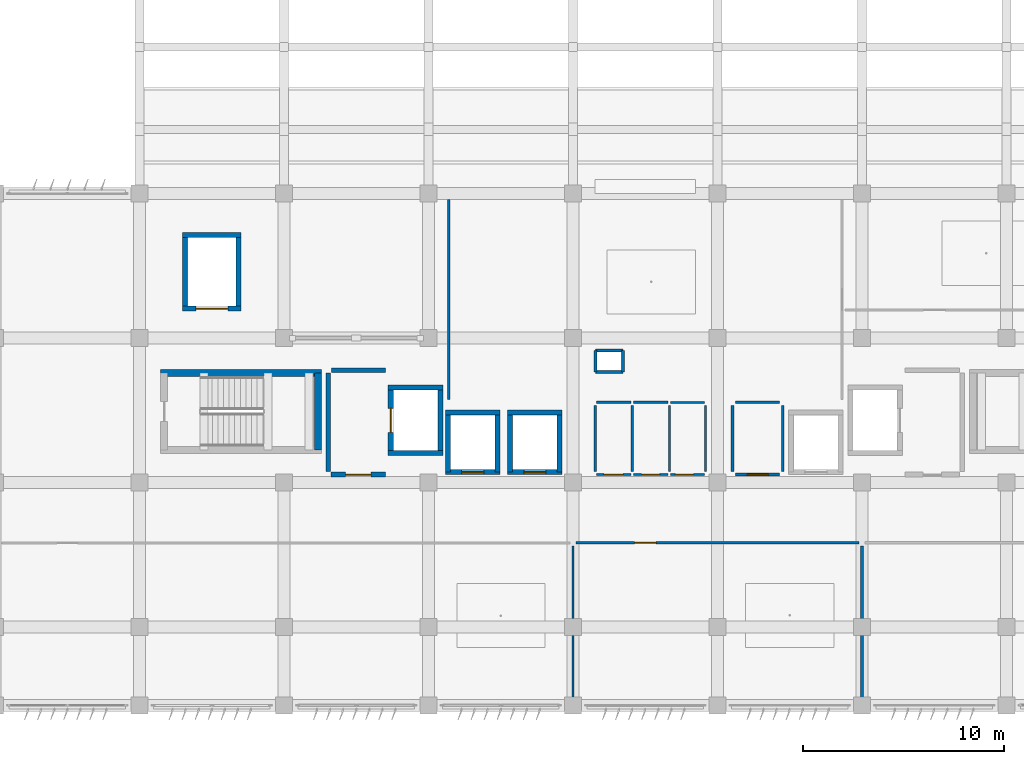
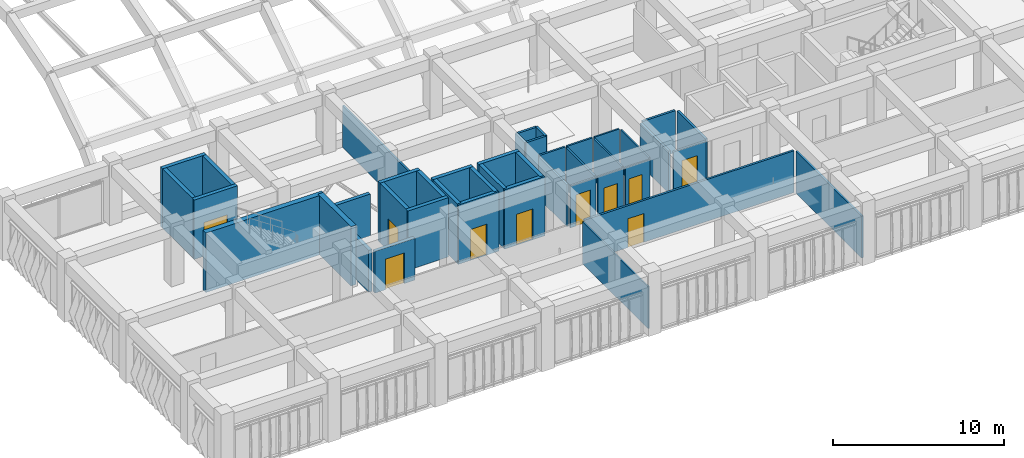
# One storey, part 28 of 48: 43 walls, 10 doors, 10 openings.
"""IFC4 building model written with IfcOpenShell, lengths in metres."""

from ifc_helpers import new_model, si_unit, direction, frame, frame_2d, origin, place, context, subcontext, project, spatial, rectangle, extrude, material, layer, layer_set, type_object, element, fill, save


model = new_model("IFC4")

# Units and contexts
model_context = context("Model", 3, precision=1e-05, world=origin(), true_north=direction((0.0, 1.0)))
body_context = subcontext(model_context, "Body", "Model", "MODEL_VIEW")
ifc_project = project(units=[si_unit("LENGTHUNIT", "METRE"), si_unit("AREAUNIT", "SQUARE_METRE"), si_unit("VOLUMEUNIT", "CUBIC_METRE"), si_unit("PLANEANGLEUNIT", "RADIAN"), si_unit("MASSUNIT", "GRAM", prefix="KILO")], contexts=[model_context])

# Site, building, storey
site_placement = place(None, origin())
site = spatial("IfcSite", under=ifc_project, at=site_placement, CompositionType="ELEMENT")
building_placement = place(site_placement, origin())
building = spatial("IfcBuilding", under=site, at=building_placement, Name="Kazehaya Institute of Natural Sciences", CompositionType="ELEMENT")
storey_placement = place(building_placement, frame((0.0, 0.0, 19.800048828125)))
storey = spatial("IfcBuildingStorey", under=building, at=storey_placement, Name="L04", CompositionType="ELEMENT", Elevation=19.800048828125)

# Walls
ifc_material_1 = material(Name="Concrete Fc42", Category="concrete")
ifc_layer_1 = layer(ifc_material_1, 0.35009765625, Name="Concrete Fc42", Category="concrete")
ifc_layer_set_1 = layer_set([ifc_layer_1], Name="Concrete Fc42")
wall_type_1 = type_object("IfcWallType", Name="WL-CORE-350", PredefinedType="SHEAR", material=ifc_layer_set_1)
wall_1_placement = place(storey_placement, frame((62.844970703125, 26.659912109375, 0.0), z_axis=(0.0, 0.0, 1.0), x_axis=(1.0, 0.0, 0.0)))
element("IfcWall", 1, at=wall_1_placement, inside=storey, type_object=wall_type_1, Name="L04 ST-1 core wall N", PredefinedType="SHEAR", context=body_context, shape_type="SweptSolid", body=[
    extrude(rectangle(XDim=8.010009765625, YDim=0.35009765625, at=frame_2d((4.0048828125, 0.0))), origin(), (0.0, 0.0, 1.0), 4.22998046875),
])
wall_2_placement = place(storey_placement, frame((70.679931640625, 26.659912109375, 0.0), z_axis=(0.0, 0.0, 1.0), x_axis=(0.0, -1.0, 0.0)))
element("IfcWall", 2, at=wall_2_placement, inside=storey, type_object=wall_type_1, Name="L04 ST-1 core wall E", PredefinedType="SHEAR", context=body_context, shape_type="SweptSolid", body=[
    extrude(rectangle(XDim=3.83984375, YDim=0.35009765625, at=frame_2d((1.919921875, 0.0))), origin(), (0.0, 0.0, 1.0), 4.22998046875),
])

# Wall, opening, door
ifc_material_2 = material(Name="Concrete Fc36", Category="concrete")
ifc_layer_2 = layer(ifc_material_2, 0.22998046875, Name="Concrete Fc36", Category="concrete")
ifc_layer_set_2 = layer_set([ifc_layer_2], Name="Concrete Fc36")
wall_type_2 = type_object("IfcWallType", Name="WL-FFL-230", PredefinedType="PARTITIONING", material=ifc_layer_set_2)
wall_3_placement = place(storey_placement, frame((74.050048828125, 21.60009765625, 0.0), z_axis=(0.0, 0.0, 1.0), x_axis=(-1.0, 0.0, 0.0)))
wall_3 = element("IfcWall", 3, at=wall_3_placement, inside=storey, type_object=wall_type_2, Name="L04 West Firefighting Lift Lobby partition IW-L04-0217", PredefinedType="PARTITIONING", context=body_context, shape_type="SweptSolid", body=[
    extrude(rectangle(XDim=2.699951171875, YDim=0.22998046875, at=frame_2d((1.35009765625, 0.0))), origin(), (0.0, 0.0, 1.0), 2.97998046875),
])
opening_1_placement = place(wall_3_placement, frame((0.719970703125, 0.0, 0.0)))
opening_1 = element("IfcOpeningElement", 4, at=opening_1_placement, cuts=wall_3, Name="Opening D-L04-0138", PredefinedType="OPENING", context=body_context, shape_type="SweptSolid", body=[
    extrude(rectangle(XDim=1.260009765625, YDim=2.179931640625, at=frame_2d((0.6298828125, 1.08984375))), frame((0.0, 0.125, 0.0), z_axis=(0.0, -1.0, 0.0), x_axis=(1.0, 0.0, 0.0)), (0.0, 0.0, 1.0), 0.25),
])
ifc_material_3 = material(Name="Fire-rated steel acoustic door", Category="steel")
door_type_1 = type_object("IfcDoorType", Name="DT-FD-30", OperationType="NOTDEFINED", PredefinedType="DOOR", material=ifc_material_3)
door_1_placement = place(opening_1_placement, origin())
door_1 = element("IfcDoor", 5, at=door_1_placement, inside=storey, type_object=door_type_1, Name="L04 West Firefighting Lift Lobby door D-L04-0138", OperationType="SINGLE_SWING_RIGHT", OverallHeight=2.179931640625, OverallWidth=1.260009765625, PredefinedType="DOOR", context=body_context, shape_type="SweptSolid", body=[
    extrude(rectangle(XDim=1.260009765625, YDim=2.179931640625, at=frame_2d((0.6298828125, 1.08984375))), frame((0.0, 0.02490234375, 0.0), z_axis=(0.0, -1.0, 0.0), x_axis=(1.0, 0.0, 0.0)), (0.0, 0.0, 1.0), 0.050048828125),
])
fill(opening_1, door_1)

# Walls
wall_4_placement = place(storey_placement, frame((71.35009765625, 26.800048828125, 0.0), z_axis=(0.0, 0.0, 1.0), x_axis=(1.0, 0.0, 0.0)))
element("IfcWall", 6, at=wall_4_placement, inside=storey, type_object=wall_type_2, Name="L04 West Firefighting Lift Lobby partition IW-L04-0218", PredefinedType="PARTITIONING", context=body_context, shape_type="SweptSolid", body=[
    extrude(rectangle(XDim=2.699951171875, YDim=0.22998046875, at=frame_2d((1.35009765625, 0.0))), origin(), (0.0, 0.0, 1.0), 2.97998046875),
])
wall_5_placement = place(storey_placement, frame((71.199951171875, 21.75, 0.0), z_axis=(0.0, 0.0, 1.0), x_axis=(0.0, 1.0, 0.0)))
element("IfcWall", 7, at=wall_5_placement, inside=storey, type_object=wall_type_2, Name="L04 West Firefighting Lift Lobby partition IW-L04-0219", PredefinedType="PARTITIONING", context=body_context, shape_type="SweptSolid", body=[
    extrude(rectangle(XDim=4.89990234375, YDim=0.22998046875, at=frame_2d((2.449951171875, 0.0))), origin(), (0.0, 0.0, 1.0), 2.97998046875),
])

# Wall, opening, door
ifc_material_4 = material(Name="Lightweight chase partition")
ifc_layer_3 = layer(ifc_material_4, 0.10009765625, Name="Lightweight chase partition")
ifc_layer_set_3 = layer_set([ifc_layer_3], Name="Lightweight chase partition")
wall_type_3 = type_object("IfcWallType", Name="WL-PART-100", PredefinedType="PARTITIONING", material=ifc_layer_set_3)
wall_6_placement = place(storey_placement, frame((89.93994140625, 21.60009765625, 0.0), z_axis=(0.0, 0.0, 1.0), x_axis=(-1.0, 0.0, 0.0)))
wall_6 = element("IfcWall", 8, at=wall_6_placement, inside=storey, type_object=wall_type_3, Name="L04 Accessible WC partition IW-L04-0230", PredefinedType="PARTITIONING", context=body_context, shape_type="SweptSolid", body=[
    extrude(rectangle(XDim=1.679931640625, YDim=0.10009765625, at=frame_2d((0.83984375, 0.0))), origin(), (0.0, 0.0, 1.0), 2.97998046875),
])
opening_2_placement = place(wall_6_placement, frame((0.5400390625, 0.0, 0.0)))
opening_2 = element("IfcOpeningElement", 9, at=opening_2_placement, cuts=wall_6, Name="Opening D-L04-0142", PredefinedType="OPENING", context=body_context, shape_type="SweptSolid", body=[
    extrude(rectangle(XDim=0.89990234375, YDim=2.10009765625, at=frame_2d((0.449951171875, 1.050048828125))), frame((0.0, 0.06005859375, 0.0), z_axis=(0.0, -1.0, 0.0), x_axis=(1.0, 0.0, 0.0)), (0.0, 0.0, 1.0), 0.1201171875),
])
ifc_material_5 = material(Name="Flush timber and aluminium laboratory door", Category="wood")
door_type_2 = type_object("IfcDoorType", Name="DT-INT-02", OperationType="NOTDEFINED", PredefinedType="DOOR", material=ifc_material_5)
door_2_placement = place(opening_2_placement, origin())
door_2 = element("IfcDoor", 10, at=door_2_placement, inside=storey, type_object=door_type_2, Name="L04 Accessible WC door D-L04-0142", OperationType="SINGLE_SWING_RIGHT", OverallHeight=2.10009765625, OverallWidth=0.89990234375, PredefinedType="DOOR", context=body_context, shape_type="SweptSolid", body=[
    extrude(rectangle(XDim=0.89990234375, YDim=2.10009765625, at=frame_2d((0.449951171875, 1.050048828125))), frame((0.0, 0.02490234375, 0.0), z_axis=(0.0, -1.0, 0.0), x_axis=(1.0, 0.0, 0.0)), (0.0, 0.0, 1.0), 0.050048828125),
])
fill(opening_2, door_2)

# Walls
wall_7_placement = place(storey_placement, frame((88.260009765625, 25.199951171875, 0.0), z_axis=(0.0, 0.0, 1.0), x_axis=(1.0, 0.0, 0.0)))
element("IfcWall", 11, at=wall_7_placement, inside=storey, type_object=wall_type_3, Name="L04 Accessible WC partition IW-L04-0231", PredefinedType="PARTITIONING", context=body_context, shape_type="SweptSolid", body=[
    extrude(rectangle(XDim=1.679931640625, YDim=0.10009765625, at=frame_2d((0.83984375, 0.0))), origin(), (0.0, 0.0, 1.0), 2.97998046875),
])
wall_8_placement = place(storey_placement, frame((90.0, 25.050048828125, 0.0), z_axis=(0.0, 0.0, 1.0), x_axis=(0.0, -1.0, 0.0)))
element("IfcWall", 12, at=wall_8_placement, inside=storey, type_object=wall_type_3, Name="L04 Accessible WC partition IW-L04-0232", PredefinedType="PARTITIONING", context=body_context, shape_type="SweptSolid", body=[
    extrude(rectangle(XDim=3.300048828125, YDim=0.10009765625, at=frame_2d((1.64990234375, 0.0))), origin(), (0.0, 0.0, 1.0), 2.97998046875),
])
wall_9_placement = place(storey_placement, frame((83.39990234375, 18.050048828125, 0.0), z_axis=(0.0, 0.0, 1.0), x_axis=(0.0, -1.0, 0.0)))
element("IfcWall", 13, at=wall_9_placement, inside=storey, type_object=wall_type_3, Name="L04 Wet Chemistry Laboratory partition IW-L04-0238", PredefinedType="PARTITIONING", context=body_context, shape_type="SweptSolid", body=[
    extrude(rectangle(XDim=7.650146484375, YDim=0.10009765625, at=frame_2d((3.8251953125, 0.0))), origin(), (0.0, 0.0, 1.0), 2.97998046875),
])

# Wall, opening, door
ifc_material_6 = material(Name="Glazed office demountable partition")
ifc_layer_4 = layer(ifc_material_6, 0.110107421875, Name="Glazed office demountable partition")
ifc_layer_set_4 = layer_set([ifc_layer_4], Name="Glazed office demountable partition")
wall_type_4 = type_object("IfcWallType", Name="WL-PART-110", PredefinedType="PARTITIONING", material=ifc_layer_set_4)
wall_10_placement = place(storey_placement, frame((88.139892578125, 21.60009765625, 0.0), z_axis=(0.0, 0.0, 1.0), x_axis=(-1.0, 0.0, 0.0)))
wall_10 = element("IfcWall", 14, at=wall_10_placement, inside=storey, type_object=wall_type_4, Name="L04 Female WC partition IW-L04-0227", PredefinedType="PARTITIONING", context=body_context, shape_type="SweptSolid", body=[
    extrude(rectangle(XDim=1.72998046875, YDim=0.110107421875, at=frame_2d((0.864990234375, 0.0))), origin(), (0.0, 0.0, 1.0), 2.97998046875),
])
opening_3_placement = place(wall_10_placement, frame((0.419921875, 0.0, 0.0)))
opening_3 = element("IfcOpeningElement", 15, at=opening_3_placement, cuts=wall_10, Name="Opening D-L04-0141", PredefinedType="OPENING", context=body_context, shape_type="SweptSolid", body=[
    extrude(rectangle(XDim=0.89990234375, YDim=2.050048828125, at=frame_2d((0.449951171875, 1.02490234375))), frame((0.0, 0.06494140625, 0.0), z_axis=(0.0, -1.0, 0.0), x_axis=(1.0, 0.0, 0.0)), (0.0, 0.0, 1.0), 0.130126953125),
])
door_type_3 = type_object("IfcDoorType", Name="DT-INT-01", OperationType="NOTDEFINED", PredefinedType="DOOR", material=ifc_material_5)
door_3_placement = place(opening_3_placement, origin())
door_3 = element("IfcDoor", 16, at=door_3_placement, inside=storey, type_object=door_type_3, Name="L04 Female WC door D-L04-0141", OperationType="SINGLE_SWING_LEFT", OverallHeight=2.050048828125, OverallWidth=0.89990234375, PredefinedType="DOOR", context=body_context, shape_type="SweptSolid", body=[
    extrude(rectangle(XDim=0.89990234375, YDim=2.050048828125, at=frame_2d((0.449951171875, 1.02490234375))), frame((0.0, 0.02490234375, 0.0), z_axis=(0.0, -1.0, 0.0), x_axis=(1.0, 0.0, 0.0)), (0.0, 0.0, 1.0), 0.050048828125),
])
fill(opening_3, door_3)

# Walls
wall_11_placement = place(storey_placement, frame((86.409912109375, 25.199951171875, 0.0), z_axis=(0.0, 0.0, 1.0), x_axis=(1.0, 0.0, 0.0)))
element("IfcWall", 17, at=wall_11_placement, inside=storey, type_object=wall_type_4, Name="L04 Female WC partition IW-L04-0228", PredefinedType="PARTITIONING", context=body_context, shape_type="SweptSolid", body=[
    extrude(rectangle(XDim=1.72998046875, YDim=0.110107421875, at=frame_2d((0.864990234375, 0.0))), origin(), (0.0, 0.0, 1.0), 2.97998046875),
])
wall_12_placement = place(storey_placement, frame((88.199951171875, 25.050048828125, 0.0), z_axis=(0.0, 0.0, 1.0), x_axis=(0.0, -1.0, 0.0)))
element("IfcWall", 18, at=wall_12_placement, inside=storey, type_object=wall_type_4, Name="L04 Female WC partition IW-L04-0229", PredefinedType="PARTITIONING", context=body_context, shape_type="SweptSolid", body=[
    extrude(rectangle(XDim=3.300048828125, YDim=0.110107421875, at=frame_2d((1.64990234375, 0.0))), origin(), (0.0, 0.0, 1.0), 2.97998046875),
])

# Wall, opening, door
ifc_material_7 = material(Name="Gypsum write-up office partition", Category="gypsum")
ifc_layer_5 = layer(ifc_material_7, 0.1201171875, Name="Gypsum write-up office partition", Category="gypsum")
ifc_layer_set_5 = layer_set([ifc_layer_5], Name="Gypsum write-up office partition")
wall_type_5 = type_object("IfcWallType", Name="WL-PART-120", PredefinedType="PARTITIONING", material=ifc_layer_set_5)
wall_13_placement = place(storey_placement, frame((86.2900390625, 21.60009765625, 0.0), z_axis=(0.0, 0.0, 1.0), x_axis=(-1.0, 0.0, 0.0)))
wall_13 = element("IfcWall", 19, at=wall_13_placement, inside=storey, type_object=wall_type_5, Name="L04 Male WC partition IW-L04-0223", PredefinedType="PARTITIONING", context=body_context, shape_type="SweptSolid", body=[
    extrude(rectangle(XDim=1.72998046875, YDim=0.1201171875, at=frame_2d((0.864990234375, 0.0))), origin(), (0.0, 0.0, 1.0), 2.97998046875),
])
opening_4_placement = place(wall_13_placement, frame((0.389892578125, 0.0, 0.0)))
opening_4 = element("IfcOpeningElement", 20, at=opening_4_placement, cuts=wall_13, Name="Opening D-L04-0140", PredefinedType="OPENING", context=body_context, shape_type="SweptSolid", body=[
    extrude(rectangle(XDim=0.9599609375, YDim=2.219970703125, at=frame_2d((0.47998046875, 1.10986328125))), frame((0.0, 0.070068359375, 0.0), z_axis=(0.0, -1.0, 0.0), x_axis=(1.0, 0.0, 0.0)), (0.0, 0.0, 1.0), 0.14013671875),
])
door_type_4 = type_object("IfcDoorType", Name="DT-INT-12", OperationType="NOTDEFINED", PredefinedType="DOOR", material=ifc_material_5)
door_4_placement = place(opening_4_placement, origin())
door_4 = element("IfcDoor", 21, at=door_4_placement, inside=storey, type_object=door_type_4, Name="L04 Male WC door D-L04-0140", OperationType="SINGLE_SWING_RIGHT", OverallHeight=2.219970703125, OverallWidth=0.9599609375, PredefinedType="DOOR", context=body_context, shape_type="SweptSolid", body=[
    extrude(rectangle(XDim=0.9599609375, YDim=2.219970703125, at=frame_2d((0.47998046875, 1.10986328125))), frame((0.0, 0.02490234375, 0.0), z_axis=(0.0, -1.0, 0.0), x_axis=(1.0, 0.0, 0.0)), (0.0, 0.0, 1.0), 0.050048828125),
])
fill(opening_4, door_4)

# Walls
wall_14_placement = place(storey_placement, frame((84.56005859375, 25.199951171875, 0.0), z_axis=(0.0, 0.0, 1.0), x_axis=(1.0, 0.0, 0.0)))
element("IfcWall", 22, at=wall_14_placement, inside=storey, type_object=wall_type_5, Name="L04 Male WC partition IW-L04-0224", PredefinedType="PARTITIONING", context=body_context, shape_type="SweptSolid", body=[
    extrude(rectangle(XDim=1.72998046875, YDim=0.1201171875, at=frame_2d((0.864990234375, 0.0))), origin(), (0.0, 0.0, 1.0), 2.97998046875),
])
for number, where, z_axis, x_axis, name in (
    (23, (84.5, 21.75, 0.0), (0.0, 0.0, 1.0), (0.0, 1.0, 0.0), "L04 Male WC partition IW-L04-0225"),
    (24, (86.35009765625, 25.050048828125, 0.0), (0.0, 0.0, 1.0), (0.0, -1.0, 0.0), "L04 Male WC partition IW-L04-0226"),
):
    element("IfcWall", number, at=place(storey_placement, frame(where, z_axis=z_axis, x_axis=x_axis)), inside=storey, type_object=wall_type_5, Name=name, PredefinedType="PARTITIONING", context=body_context, shape_type="SweptSolid", body=[
        extrude(rectangle(XDim=3.300048828125, YDim=0.1201171875, at=frame_2d((1.64990234375, 0.0))), origin(), (0.0, 0.0, 1.0), 2.97998046875),
    ])
wall_15_placement = place(storey_placement, frame((77.199951171875, 25.35009765625, 0.0), z_axis=(0.0, 0.0, 1.0), x_axis=(0.0, 1.0, 0.0)))
element("IfcWall", 25, at=wall_15_placement, inside=storey, type_object=wall_type_5, Name="L04 Proteomics Research Laboratory partition IW-L04-0242", PredefinedType="PARTITIONING", context=body_context, shape_type="SweptSolid", body=[
    extrude(rectangle(XDim=9.949951171875, YDim=0.1201171875, at=frame_2d((4.97509765625, 0.0))), origin(), (0.0, 0.0, 1.0), 2.97998046875),
])

# Wall, opening, door
ifc_material_8 = material(Name="Gypsum partition", Category="gypsum")
ifc_layer_6 = layer(ifc_material_8, 0.139892578125, Name="Gypsum partition", Category="gypsum")
ifc_layer_set_6 = layer_set([ifc_layer_6], Name="Gypsum partition")
wall_type_6 = type_object("IfcWallType", Name="WL-PART-140", PredefinedType="PARTITIONING", material=ifc_layer_set_6)
wall_16_placement = place(storey_placement, frame((93.699951171875, 21.60009765625, 0.0), z_axis=(0.0, 0.0, 1.0), x_axis=(-1.0, 0.0, 0.0)))
wall_16 = element("IfcWall", 26, at=wall_16_placement, inside=storey, type_object=wall_type_6, Name="L04 Ostomate WC partition IW-L04-0233", PredefinedType="PARTITIONING", context=body_context, shape_type="SweptSolid", body=[
    extrude(rectangle(XDim=2.199951171875, YDim=0.139892578125, at=frame_2d((1.10009765625, 0.0))), origin(), (0.0, 0.0, 1.0), 2.97998046875),
])
opening_5_placement = place(wall_16_placement, frame((0.5849609375, 0.0, 0.0)))
opening_5 = element("IfcOpeningElement", 27, at=opening_5_placement, cuts=wall_16, Name="Opening D-L04-0143", PredefinedType="OPENING", context=body_context, shape_type="SweptSolid", body=[
    extrude(rectangle(XDim=1.030029296875, YDim=2.159912109375, at=frame_2d((0.51513671875, 1.080078125))), frame((0.0, 0.079833984375, 0.0), z_axis=(0.0, -1.0, 0.0), x_axis=(1.0, 0.0, 0.0)), (0.0, 0.0, 1.0), 0.159912109375),
])
door_type_5 = type_object("IfcDoorType", Name="DT-INT-19", OperationType="NOTDEFINED", PredefinedType="DOOR", material=ifc_material_5)
door_5_placement = place(opening_5_placement, origin())
door_5 = element("IfcDoor", 28, at=door_5_placement, inside=storey, type_object=door_type_5, Name="L04 Ostomate WC door D-L04-0143", OperationType="SINGLE_SWING_LEFT", OverallHeight=2.159912109375, OverallWidth=1.030029296875, PredefinedType="DOOR", context=body_context, shape_type="SweptSolid", body=[
    extrude(rectangle(XDim=1.030029296875, YDim=2.159912109375, at=frame_2d((0.51513671875, 1.080078125))), frame((0.0, 0.02490234375, 0.0), z_axis=(0.0, -1.0, 0.0), x_axis=(1.0, 0.0, 0.0)), (0.0, 0.0, 1.0), 0.050048828125),
])
fill(opening_5, door_5)

# Walls
wall_17_placement = place(storey_placement, frame((91.5, 25.199951171875, 0.0), z_axis=(0.0, 0.0, 1.0), x_axis=(1.0, 0.0, 0.0)))
element("IfcWall", 29, at=wall_17_placement, inside=storey, type_object=wall_type_6, Name="L04 Ostomate WC partition IW-L04-0234", PredefinedType="PARTITIONING", context=body_context, shape_type="SweptSolid", body=[
    extrude(rectangle(XDim=2.199951171875, YDim=0.139892578125, at=frame_2d((1.10009765625, 0.0))), origin(), (0.0, 0.0, 1.0), 2.97998046875),
])
for number, where, z_axis, x_axis, name in (
    (30, (91.35009765625, 21.75, 0.0), (0.0, 0.0, 1.0), (0.0, 1.0, 0.0), "L04 Ostomate WC partition IW-L04-0235"),
    (31, (93.85009765625, 25.050048828125, 0.0), (0.0, 0.0, 1.0), (0.0, -1.0, 0.0), "L04 Ostomate WC partition IW-L04-0236"),
):
    element("IfcWall", number, at=place(storey_placement, frame(where, z_axis=z_axis, x_axis=x_axis)), inside=storey, type_object=wall_type_6, Name=name, PredefinedType="PARTITIONING", context=body_context, shape_type="SweptSolid", body=[
        extrude(rectangle(XDim=3.300048828125, YDim=0.139892578125, at=frame_2d((1.64990234375, 0.0))), origin(), (0.0, 0.0, 1.0), 2.97998046875),
    ])

# Wall, opening, door
wall_18_placement = place(storey_placement, frame((83.550048828125, 18.199951171875, 0.0), z_axis=(0.0, 0.0, 1.0), x_axis=(1.0, 0.0, 0.0)))
wall_18 = element("IfcWall", 32, at=wall_18_placement, inside=storey, type_object=wall_type_6, Name="L04 Molecular Biology Laboratory partition IW-L04-0239", PredefinedType="PARTITIONING", context=body_context, shape_type="SweptSolid", body=[
    extrude(rectangle(XDim=14.099853515625, YDim=0.139892578125, at=frame_2d((7.0498046875, 0.0))), origin(), (0.0, 0.0, 1.0), 2.97998046875),
])
opening_6_placement = place(wall_18_placement, frame((2.9150390625, 0.0, 0.0)))
opening_6 = element("IfcOpeningElement", 33, at=opening_6_placement, cuts=wall_18, Name="Opening D-L04-0145", PredefinedType="OPENING", context=body_context, shape_type="SweptSolid", body=[
    extrude(rectangle(XDim=1.070068359375, YDim=2.050048828125, at=frame_2d((0.53515625, 1.02490234375))), frame((0.0, 0.079833984375, 0.0), z_axis=(0.0, -1.0, 0.0), x_axis=(1.0, 0.0, 0.0)), (0.0, 0.0, 1.0), 0.159912109375),
])
door_type_6 = type_object("IfcDoorType", Name="DT-INT-21", OperationType="NOTDEFINED", PredefinedType="DOOR", material=ifc_material_5)
door_6_placement = place(opening_6_placement, origin())
door_6 = element("IfcDoor", 34, at=door_6_placement, inside=storey, type_object=door_type_6, Name="L04 Molecular Biology Laboratory door D-L04-0145", OperationType="SINGLE_SWING_LEFT", OverallHeight=2.050048828125, OverallWidth=1.070068359375, PredefinedType="DOOR", context=body_context, shape_type="SweptSolid", body=[
    extrude(rectangle(XDim=1.070068359375, YDim=2.050048828125, at=frame_2d((0.53515625, 1.02490234375))), frame((0.0, 0.02490234375, 0.0), z_axis=(0.0, -1.0, 0.0), x_axis=(1.0, 0.0, 0.0)), (0.0, 0.0, 1.0), 0.050048828125),
])
fill(opening_6, door_6)

# Walls
wall_19_placement = place(storey_placement, frame((97.800048828125, 18.050048828125, 0.0), z_axis=(0.0, 0.0, 1.0), x_axis=(0.0, -1.0, 0.0)))
element("IfcWall", 35, at=wall_19_placement, inside=storey, type_object=wall_type_6, Name="L04 Molecular Biology Laboratory partition IW-L04-0240", PredefinedType="PARTITIONING", context=body_context, shape_type="SweptSolid", body=[
    extrude(rectangle(XDim=7.650146484375, YDim=0.139892578125, at=frame_2d((3.8251953125, 0.0))), origin(), (0.0, 0.0, 1.0), 2.97998046875),
])
ifc_layer_7 = layer(ifc_material_2, 0.14990234375, Name="Concrete Fc36", Category="concrete")
ifc_layer_set_7 = layer_set([ifc_layer_7], Name="Concrete Fc36")
wall_type_7 = type_object("IfcWallType", Name="WL-RISER-150", PredefinedType="PARTITIONING", material=ifc_layer_set_7)
for number, where, z_axis, x_axis, name in (
    (36, (85.885009765625, 26.715087890625, 0.0), (0.0, 0.0, 1.0), (-1.0, 0.0, 0.0), "L04 fume exhaust riser shaft wall 35"),
    (37, (84.514892578125, 27.784912109375, 0.0), (0.0, 0.0, 1.0), (1.0, 0.0, 0.0), "L04 fume exhaust riser shaft wall 35"),
):
    element("IfcWall", number, at=place(storey_placement, frame(where, z_axis=z_axis, x_axis=x_axis)), inside=storey, type_object=wall_type_7, Name=name, PredefinedType="PARTITIONING", context=body_context, shape_type="SweptSolid", body=[
        extrude(rectangle(XDim=1.3701171875, YDim=0.14990234375, at=frame_2d((0.68505859375, 0.0))), origin(), (0.0, 0.0, 1.0), 2.97998046875),
    ])
for number, where, z_axis, x_axis, name in (
    (38, (84.514892578125, 26.715087890625, 0.0), (0.0, 0.0, 1.0), (0.0, 1.0, 0.0), "L04 fume exhaust riser shaft wall 35"),
    (39, (85.885009765625, 27.784912109375, 0.0), (0.0, 0.0, 1.0), (0.0, -1.0, 0.0), "L04 fume exhaust riser shaft wall 35"),
):
    element("IfcWall", number, at=place(storey_placement, frame(where, z_axis=z_axis, x_axis=x_axis)), inside=storey, type_object=wall_type_7, Name=name, PredefinedType="PARTITIONING", context=body_context, shape_type="SweptSolid", body=[
        extrude(rectangle(XDim=1.06982421875, YDim=0.14990234375, at=frame_2d((0.534912109375, 0.0))), origin(), (0.0, 0.0, 1.0), 2.97998046875),
    ])
ifc_layer_8 = layer(ifc_material_1, 0.25, Name="Concrete Fc42", Category="concrete")
ifc_layer_set_8 = layer_set([ifc_layer_8], Name="Concrete Fc42")
wall_type_8 = type_object("IfcWallType", Name="WL-SHAFT-250", PredefinedType="SHEAR", material=ifc_layer_set_8)
for number, where, z_axis, x_axis, name in (
    (40, (76.909912109375, 22.6650390625, 0.0), (0.0, 0.0, 1.0), (-1.0, 0.0, 0.0), "L04 EL07 lift shaft wall south"),
    (41, (74.18994140625, 25.93505859375, 0.0), (0.0, 0.0, 1.0), (1.0, 0.0, 0.0), "L04 EL07 lift shaft wall north"),
):
    element("IfcWall", number, at=place(storey_placement, frame(where, z_axis=z_axis, x_axis=x_axis)), inside=storey, type_object=wall_type_8, Name=name, PredefinedType="SHEAR", context=body_context, shape_type="SweptSolid", body=[
        extrude(rectangle(XDim=2.719970703125, YDim=0.25, at=frame_2d((1.35986328125, 0.0))), origin(), (0.0, 0.0, 1.0), 4.22998046875),
    ])

# Wall, opening, door
wall_20_placement = place(storey_placement, frame((74.31494140625, 22.6650390625, 0.0), z_axis=(0.0, 0.0, 1.0), x_axis=(0.0, 1.0, 0.0)))
wall_20 = element("IfcWall", 42, at=wall_20_placement, inside=storey, type_object=wall_type_8, Name="L04 EL07 lift shaft wall west", PredefinedType="SHEAR", context=body_context, shape_type="SweptSolid", body=[
    extrude(rectangle(XDim=3.27001953125, YDim=0.25, at=frame_2d((1.635009765625, 0.0))), origin(), (0.0, 0.0, 1.0), 4.22998046875),
])
opening_7_placement = place(wall_20_placement, frame((1.034912109375, 0.0, 0.0)))
opening_7 = element("IfcOpeningElement", 43, at=opening_7_placement, cuts=wall_20, Name="Opening LD-06", PredefinedType="OPENING", context=body_context, shape_type="SweptSolid", body=[
    extrude(rectangle(XDim=1.199951171875, YDim=2.25, at=frame_2d((0.60009765625, 1.125))), frame((0.0, 0.135009765625, 0.0), z_axis=(0.0, -1.0, 0.0), x_axis=(1.0, 0.0, 0.0)), (0.0, 0.0, 1.0), 0.27001953125),
])
ifc_material_9 = material(Name="Stainless-steel emergency lift landing door", Category="steel")
door_type_7 = type_object("IfcDoorType", Name="DT-LD-1200x2250", OperationType="SLIDING_TO_LEFT", PredefinedType="DOOR", material=ifc_material_9)
door_7_placement = place(opening_7_placement, origin())
door_7 = element("IfcDoor", 44, at=door_7_placement, inside=storey, type_object=door_type_7, Name="L04 EL07 sliding landing door LD-06", OperationType="SLIDING_TO_LEFT", OverallHeight=2.25, OverallWidth=1.199951171875, PredefinedType="DOOR", context=body_context, shape_type="SweptSolid", body=[
    extrude(rectangle(XDim=1.199951171875, YDim=2.25, at=frame_2d((0.60009765625, 1.125))), frame((0.0, 0.02490234375, 0.0), z_axis=(0.0, -1.0, 0.0), x_axis=(1.0, 0.0, 0.0)), (0.0, 0.0, 1.0), 0.050048828125),
])
fill(opening_7, door_7)

# Wall
wall_21_placement = place(storey_placement, frame((76.784912109375, 25.93505859375, 0.0), z_axis=(0.0, 0.0, 1.0), x_axis=(0.0, -1.0, 0.0)))
element("IfcWall", 45, at=wall_21_placement, inside=storey, type_object=wall_type_8, Name="L04 EL07 lift shaft wall east", PredefinedType="SHEAR", context=body_context, shape_type="SweptSolid", body=[
    extrude(rectangle(XDim=3.27001953125, YDim=0.25, at=frame_2d((1.635009765625, 0.0))), origin(), (0.0, 0.0, 1.0), 4.22998046875),
])

# Wall, opening, door
wall_22_placement = place(storey_placement, frame((79.760009765625, 21.715087890625, 0.0), z_axis=(0.0, 0.0, 1.0), x_axis=(-1.0, 0.0, 0.0)))
wall_22 = element("IfcWall", 46, at=wall_22_placement, inside=storey, type_object=wall_type_8, Name="L04 EL01 lift shaft wall south", PredefinedType="SHEAR", context=body_context, shape_type="SweptSolid", body=[
    extrude(rectangle(XDim=2.719970703125, YDim=0.25, at=frame_2d((1.35986328125, 0.0))), origin(), (0.0, 0.0, 1.0), 4.22998046875),
])
opening_8_placement = place(wall_22_placement, frame((0.81005859375, 0.0, 0.0)))
opening_8 = element("IfcOpeningElement", 47, at=opening_8_placement, cuts=wall_22, Name="Opening LD-28", PredefinedType="OPENING", context=body_context, shape_type="SweptSolid", body=[
    extrude(rectangle(XDim=1.10009765625, YDim=2.199951171875, at=frame_2d((0.550048828125, 1.10009765625))), frame((0.0, 0.135009765625, 0.0), z_axis=(0.0, -1.0, 0.0), x_axis=(1.0, 0.0, 0.0)), (0.0, 0.0, 1.0), 0.27001953125),
])
ifc_material_10 = material(Name="Stainless-steel sliding landing door", Category="steel")
door_type_8 = type_object("IfcDoorType", Name="DT-LD-1100x2200", OperationType="SLIDING_TO_LEFT", PredefinedType="DOOR", material=ifc_material_10)
door_8_placement = place(opening_8_placement, origin())
door_8 = element("IfcDoor", 48, at=door_8_placement, inside=storey, type_object=door_type_8, Name="L04 EL01 sliding landing door LD-28", OperationType="SLIDING_TO_LEFT", OverallHeight=2.199951171875, OverallWidth=1.10009765625, PredefinedType="DOOR", context=body_context, shape_type="SweptSolid", body=[
    extrude(rectangle(XDim=1.10009765625, YDim=2.199951171875, at=frame_2d((0.550048828125, 1.10009765625))), frame((0.0, 0.02490234375, 0.0), z_axis=(0.0, -1.0, 0.0), x_axis=(1.0, 0.0, 0.0)), (0.0, 0.0, 1.0), 0.050048828125),
])
fill(opening_8, door_8)

# Walls
wall_23_placement = place(storey_placement, frame((77.0400390625, 24.68505859375, 0.0), z_axis=(0.0, 0.0, 1.0), x_axis=(1.0, 0.0, 0.0)))
element("IfcWall", 49, at=wall_23_placement, inside=storey, type_object=wall_type_8, Name="L04 EL01 lift shaft wall north", PredefinedType="SHEAR", context=body_context, shape_type="SweptSolid", body=[
    extrude(rectangle(XDim=2.719970703125, YDim=0.25, at=frame_2d((1.35986328125, 0.0))), origin(), (0.0, 0.0, 1.0), 4.22998046875),
])
for number, where, z_axis, x_axis, name in (
    (50, (77.1650390625, 21.715087890625, 0.0), (0.0, 0.0, 1.0), (0.0, 1.0, 0.0), "L04 EL01 lift shaft wall west"),
    (51, (79.635009765625, 24.68505859375, 0.0), (0.0, 0.0, 1.0), (0.0, -1.0, 0.0), "L04 EL01 lift shaft wall east"),
):
    element("IfcWall", number, at=place(storey_placement, frame(where, z_axis=z_axis, x_axis=x_axis)), inside=storey, type_object=wall_type_8, Name=name, PredefinedType="SHEAR", context=body_context, shape_type="SweptSolid", body=[
        extrude(rectangle(XDim=2.969970703125, YDim=0.25, at=frame_2d((1.48486328125, 0.0))), origin(), (0.0, 0.0, 1.0), 4.22998046875),
    ])

# Wall, opening, door
wall_24_placement = place(storey_placement, frame((82.860107421875, 21.715087890625, 0.0), z_axis=(0.0, 0.0, 1.0), x_axis=(-1.0, 0.0, 0.0)))
wall_24 = element("IfcWall", 52, at=wall_24_placement, inside=storey, type_object=wall_type_8, Name="L04 EL02 lift shaft wall south", PredefinedType="SHEAR", context=body_context, shape_type="SweptSolid", body=[
    extrude(rectangle(XDim=2.72021484375, YDim=0.25, at=frame_2d((1.360107421875, 0.0))), origin(), (0.0, 0.0, 1.0), 4.22998046875),
])
opening_9_placement = place(wall_24_placement, frame((0.81005859375, 0.0, 0.0)))
opening_9 = element("IfcOpeningElement", 53, at=opening_9_placement, cuts=wall_24, Name="Opening LD-39", PredefinedType="OPENING", context=body_context, shape_type="SweptSolid", body=[
    extrude(rectangle(XDim=1.10009765625, YDim=2.199951171875, at=frame_2d((0.550048828125, 1.10009765625))), frame((0.0, 0.135009765625, 0.0), z_axis=(0.0, -1.0, 0.0), x_axis=(1.0, 0.0, 0.0)), (0.0, 0.0, 1.0), 0.27001953125),
])
door_9_placement = place(opening_9_placement, origin())
door_9 = element("IfcDoor", 54, at=door_9_placement, inside=storey, type_object=door_type_8, Name="L04 EL02 sliding landing door LD-39", OperationType="SLIDING_TO_LEFT", OverallHeight=2.199951171875, OverallWidth=1.10009765625, PredefinedType="DOOR", context=body_context, shape_type="SweptSolid", body=[
    extrude(rectangle(XDim=1.10009765625, YDim=2.199951171875, at=frame_2d((0.550048828125, 1.10009765625))), frame((0.0, 0.02490234375, 0.0), z_axis=(0.0, -1.0, 0.0), x_axis=(1.0, 0.0, 0.0)), (0.0, 0.0, 1.0), 0.050048828125),
])
fill(opening_9, door_9)

# Walls
wall_25_placement = place(storey_placement, frame((80.139892578125, 24.68505859375, 0.0), z_axis=(0.0, 0.0, 1.0), x_axis=(1.0, 0.0, 0.0)))
element("IfcWall", 55, at=wall_25_placement, inside=storey, type_object=wall_type_8, Name="L04 EL02 lift shaft wall north", PredefinedType="SHEAR", context=body_context, shape_type="SweptSolid", body=[
    extrude(rectangle(XDim=2.72021484375, YDim=0.25, at=frame_2d((1.360107421875, 0.0))), origin(), (0.0, 0.0, 1.0), 4.22998046875),
])
for number, where, z_axis, x_axis, name in (
    (56, (80.264892578125, 21.715087890625, 0.0), (0.0, 0.0, 1.0), (0.0, 1.0, 0.0), "L04 EL02 lift shaft wall west"),
    (57, (82.735107421875, 24.68505859375, 0.0), (0.0, 0.0, 1.0), (0.0, -1.0, 0.0), "L04 EL02 lift shaft wall east"),
):
    element("IfcWall", number, at=place(storey_placement, frame(where, z_axis=z_axis, x_axis=x_axis)), inside=storey, type_object=wall_type_8, Name=name, PredefinedType="SHEAR", context=body_context, shape_type="SweptSolid", body=[
        extrude(rectangle(XDim=2.969970703125, YDim=0.25, at=frame_2d((1.48486328125, 0.0))), origin(), (0.0, 0.0, 1.0), 4.22998046875),
    ])

# Wall, opening, door
wall_26_placement = place(storey_placement, frame((66.860107421875, 29.864990234375, 0.0), z_axis=(0.0, 0.0, 1.0), x_axis=(-1.0, 0.0, 0.0)))
wall_26 = element("IfcWall", 58, at=wall_26_placement, inside=storey, type_object=wall_type_8, Name="L04 EL06 lift shaft wall south", PredefinedType="SHEAR", context=body_context, shape_type="SweptSolid", body=[
    extrude(rectangle(XDim=2.920166015625, YDim=0.25, at=frame_2d((1.4599609375, 0.0))), origin(), (0.0, 0.0, 1.0), 4.22998046875),
])
opening_10_placement = place(wall_26_placement, frame((0.659912109375, 0.0, 0.0)))
opening_10 = element("IfcOpeningElement", 59, at=opening_10_placement, cuts=wall_26, Name="Opening LD-77", PredefinedType="OPENING", context=body_context, shape_type="SweptSolid", body=[
    extrude(rectangle(XDim=1.60009765625, YDim=2.39990234375, at=frame_2d((0.800048828125, 1.199951171875))), frame((0.0, 0.135009765625, 0.0), z_axis=(0.0, -1.0, 0.0), x_axis=(1.0, 0.0, 0.0)), (0.0, 0.0, 1.0), 0.27001953125),
])
ifc_material_11 = material(Name="Heavy-duty goods lift sliding landing door")
door_type_9 = type_object("IfcDoorType", Name="DT-LD-1600x2400", OperationType="SLIDING_TO_LEFT", PredefinedType="DOOR", material=ifc_material_11)
door_10_placement = place(opening_10_placement, origin())
door_10 = element("IfcDoor", 60, at=door_10_placement, inside=storey, type_object=door_type_9, Name="L04 EL06 sliding landing door LD-77", OperationType="SLIDING_TO_LEFT", OverallHeight=2.39990234375, OverallWidth=1.60009765625, PredefinedType="DOOR", context=body_context, shape_type="SweptSolid", body=[
    extrude(rectangle(XDim=1.60009765625, YDim=2.39990234375, at=frame_2d((0.800048828125, 1.199951171875))), frame((0.0, 0.02490234375, 0.0), z_axis=(0.0, -1.0, 0.0), x_axis=(1.0, 0.0, 0.0)), (0.0, 0.0, 1.0), 0.050048828125),
])
fill(opening_10, door_10)

# Walls
wall_27_placement = place(storey_placement, frame((63.93994140625, 33.534912109375, 0.0), z_axis=(0.0, 0.0, 1.0), x_axis=(1.0, 0.0, 0.0)))
element("IfcWall", 61, at=wall_27_placement, inside=storey, type_object=wall_type_8, Name="L04 EL06 lift shaft wall north", PredefinedType="SHEAR", context=body_context, shape_type="SweptSolid", body=[
    extrude(rectangle(XDim=2.920166015625, YDim=0.25, at=frame_2d((1.4599609375, 0.0))), origin(), (0.0, 0.0, 1.0), 4.22998046875),
])
for number, where, z_axis, x_axis, name in (
    (62, (64.06494140625, 29.864990234375, 0.0), (0.0, 0.0, 1.0), (0.0, 1.0, 0.0), "L04 EL06 lift shaft wall west"),
    (63, (66.735107421875, 33.534912109375, 0.0), (0.0, 0.0, 1.0), (0.0, -1.0, 0.0), "L04 EL06 lift shaft wall east"),
):
    element("IfcWall", number, at=place(storey_placement, frame(where, z_axis=z_axis, x_axis=x_axis)), inside=storey, type_object=wall_type_8, Name=name, PredefinedType="SHEAR", context=body_context, shape_type="SweptSolid", body=[
        extrude(rectangle(XDim=3.669921875, YDim=0.25, at=frame_2d((1.8349609375, 0.0))), origin(), (0.0, 0.0, 1.0), 4.22998046875),
    ])

save(model, "model.ifc")
